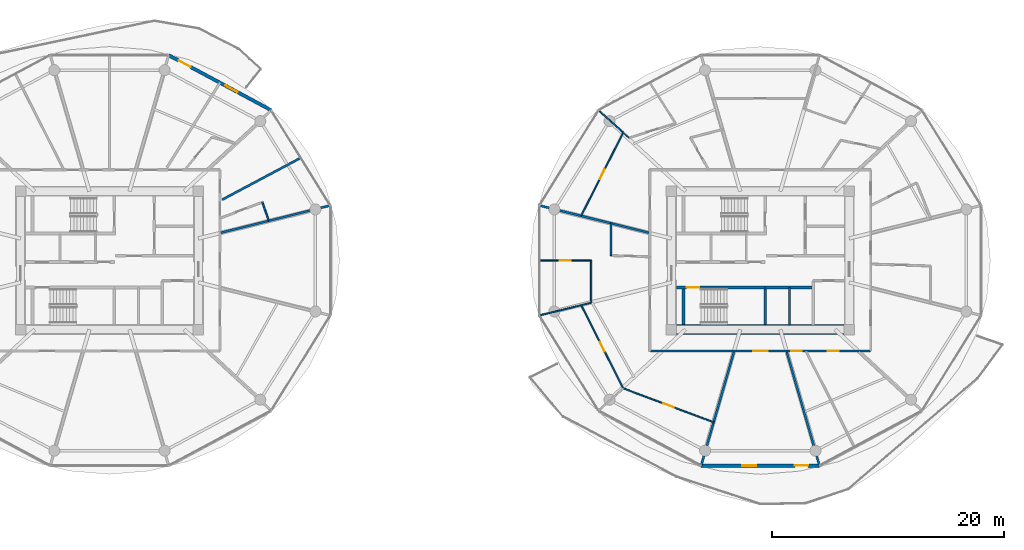
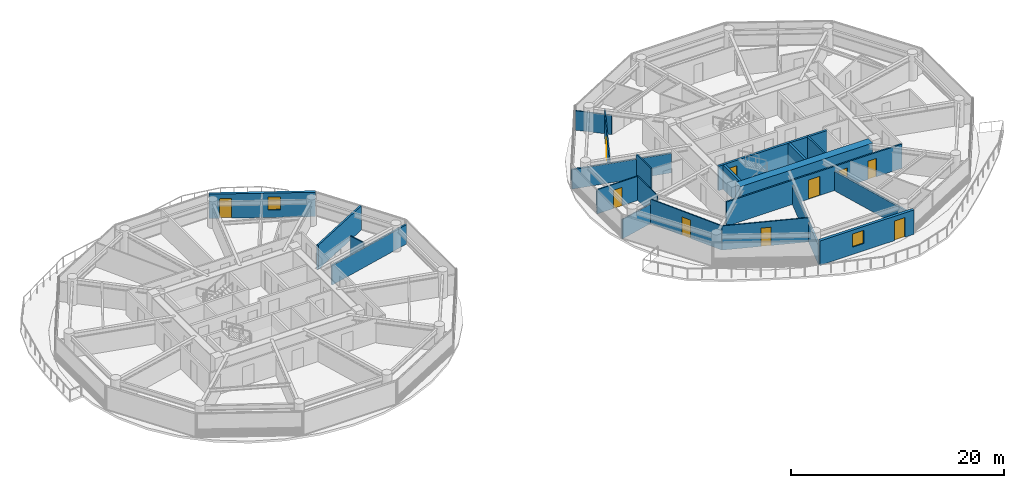
# One storey, part 17 of 25: 23 walls, 10 doors, 2 windows, 12 openings.
"""IFC4 building model written with IfcOpenShell, lengths in metres."""

from ifc_helpers import new_model, si_unit, direction, frame, frame_2d, origin, place, context, subcontext, project, spatial, rectangle, extrude, source, transform, mapped, material, layer, layer_set, type_object, type_shapes, element, fill, save


model = new_model("IFC4")

# Units and contexts
model_context = context("Model", 3, precision=1e-05, world=origin(), true_north=direction((0.0, 1.0)))
body_context = subcontext(model_context, "Body", "Model", "MODEL_VIEW")
ifc_project = project(units=[si_unit("LENGTHUNIT", "METRE"), si_unit("AREAUNIT", "SQUARE_METRE"), si_unit("VOLUMEUNIT", "CUBIC_METRE"), si_unit("PLANEANGLEUNIT", "RADIAN"), si_unit("MASSUNIT", "GRAM", prefix="KILO")], contexts=[model_context])

# Site, building, storey
site_placement = place(None, origin())
site = spatial("IfcSite", under=ifc_project, at=site_placement, CompositionType="ELEMENT")
building_placement = place(site_placement, origin())
building = spatial("IfcBuilding", under=site, at=building_placement, Name="Norrkilde Senior Care Towers", CompositionType="ELEMENT")
storey_placement = place(building_placement, frame((0.0, 0.0, 27.699951171875)))
storey = spatial("IfcBuildingStorey", under=building, at=storey_placement, Name="L07", CompositionType="ELEMENT", Elevation=27.699951171875)

# Wall
ifc_material_1 = material(Name="Concrete C60/75", Category="concrete")
ifc_layer_1 = layer(ifc_material_1, 0.85009765625)
ifc_layer_set_1 = layer_set([ifc_layer_1], Name="Concrete C60/75")
wall_type_1 = type_object("IfcWallType", Name="Core Shear Wall Z1 850", PredefinedType="SHEAR", material=ifc_layer_set_1)
shared_shape_1 = source(origin(), body_context, "Body", "SweptSolid", [
    extrude(rectangle(XDim=14.39990234375, YDim=0.85009765625, at=frame_2d((7.199951171875, 0.0))), origin(), (0.0, 0.0, 1.0), 2.7900390625),
])
type_shapes(wall_type_1, [shared_shape_1])
wall_1_placement = place(storey_placement, frame((35.199951171875, -5.949951171875, 0.0), z_axis=(0.0, 0.0, 1.0), x_axis=(-1.0, 0.0, 0.0)))
element("IfcWall", 1, at=wall_1_placement, inside=storey, type_object=wall_type_1, Name="L07 Core E South Shear Wall", PredefinedType="SHEAR", context=body_context, shape_type="MappedRepresentation", body=[
    mapped(shared_shape_1, transform((0.0, 0.0, 0.0), x_axis=(1.0, 0.0, 0.0), y_axis=(0.0, 1.0, 0.0), z_axis=(0.0, 0.0, 1.0), scale=1.0)),
])

# Wall, openings, door, window
ifc_material_2 = material(Name="Precast concrete C45/55", Category="concrete")
ifc_layer_2 = layer(ifc_material_2, 0.2900390625)
ifc_layer_set_2 = layer_set([ifc_layer_2], Name="Precast concrete C45/55")
wall_type_2 = type_object("IfcWallType", Name="Winter Garden Facade Wall 290", PredefinedType="SOLIDWALL", material=ifc_layer_set_2)
shared_shape_2 = source(origin(), body_context, "Body", "SweptSolid", [
    extrude(rectangle(XDim=10.18701171875, YDim=0.2900390625, at=frame_2d((5.093505859375, 0.0))), origin(), (0.0, 0.0, 1.0), 2.7900390625),
])
wall_2_placement = place(storey_placement, frame((33.093505859375, -17.6572265625, 0.0), z_axis=(0.0, 0.0, 1.0), x_axis=(-1.0, 0.0, 0.0)))
wall_2 = element("IfcWall", 2, at=wall_2_placement, inside=storey, type_object=wall_type_2, Name="L07 Drum E Balcony Access Wall 08", PredefinedType="SOLIDWALL", context=body_context, shape_type="MappedRepresentation", body=[
    mapped(shared_shape_2, transform((0.0, 0.0, 0.0), x_axis=(1.0, 0.0, 0.0), y_axis=(0.0, 1.0, 0.0), z_axis=(0.0, 0.0, 1.0), scale=1.0)),
])
opening_1_placement = place(wall_2_placement, frame((0.97998046875, 0.0, 0.0)))
opening_1 = element("IfcOpeningElement", 3, at=opening_1_placement, cuts=wall_2, Name="Opening D-09", PredefinedType="OPENING", context=body_context, shape_type="SweptSolid", body=[
    extrude(rectangle(XDim=1.14990234375, YDim=2.25, at=frame_2d((0.574951171875, 1.125))), frame((0.0, 0.155029296875, 0.0), z_axis=(0.0, -1.0, 0.0), x_axis=(1.0, 0.0, 0.0)), (0.0, 0.0, 1.0), 0.31005859375),
])
opening_2_placement = place(wall_2_placement, frame((5.443603515625, 0.0, 0.85009765625)))
opening_2 = element("IfcOpeningElement", 4, at=opening_2_placement, cuts=wall_2, Name="Opening WN-07", PredefinedType="OPENING", context=body_context, shape_type="SweptSolid", body=[
    extrude(rectangle(XDim=1.199951171875, YDim=1.5, at=frame_2d((0.60009765625, 0.75))), frame((0.0, 0.155029296875, 0.0), z_axis=(0.0, -1.0, 0.0), x_axis=(1.0, 0.0, 0.0)), (0.0, 0.0, 1.0), 0.31005859375),
])
ifc_material_3 = material(Name="Anodised Aluminium", Category="aluminium")
door_type_1 = type_object("IfcDoorType", Name="Terrace and Balcony Glazed Door 1150x2250", OperationType="NOTDEFINED", PredefinedType="DOOR", material=ifc_material_3)
shared_shape_3 = source(origin(), body_context, "Body", "SweptSolid", [
    extrude(rectangle(XDim=1.14990234375, YDim=2.25, at=frame_2d((0.574951171875, 1.125))), frame((0.0, 0.02490234375, 0.0), z_axis=(0.0, -1.0, 0.0), x_axis=(1.0, 0.0, 0.0)), (0.0, 0.0, 1.0), 0.050048828125),
])
type_shapes(door_type_1, [shared_shape_3])
door_1_placement = place(opening_1_placement, origin())
door_1 = element("IfcDoor", 5, at=door_1_placement, inside=storey, type_object=door_type_1, Name="L07 Drum E Outdoor Terrace Door 08", OperationType="SINGLE_SWING_LEFT", OverallHeight=2.25, OverallWidth=1.14990234375, PredefinedType="DOOR", context=body_context, shape_type="MappedRepresentation", body=[
    mapped(shared_shape_3, transform((0.0, 0.0, 0.0), x_axis=(1.0, 0.0, 0.0), y_axis=(0.0, 1.0, 0.0), z_axis=(0.0, 0.0, 1.0), scale=1.0)),
])
fill(opening_1, door_1)
ifc_material_4 = material(Name="Triple Low-E Insulated Glazing", Category="glass")
window_type = type_object("IfcWindowType", Name="Stairwell Smoke Vent Window 1200x1500", PartitioningType="SINGLE_PANEL", PredefinedType="WINDOW", material=ifc_material_4)
shared_shape_4 = source(origin(), body_context, "Body", "SweptSolid", [
    extrude(rectangle(XDim=1.199951171875, YDim=1.5, at=frame_2d((0.60009765625, 0.75))), frame((0.0, 0.030029296875, 0.0), z_axis=(0.0, -1.0, 0.0), x_axis=(1.0, 0.0, 0.0)), (0.0, 0.0, 1.0), 0.06005859375),
])
type_shapes(window_type, [shared_shape_4])
window_1_placement = place(opening_2_placement, origin())
window_1 = element("IfcWindow", 6, at=window_1_placement, inside=storey, type_object=window_type, Name="L07 Drum E Winter Garden Window 08", OverallHeight=1.5, OverallWidth=1.199951171875, PartitioningType="SINGLE_PANEL", PredefinedType="WINDOW", context=body_context, shape_type="MappedRepresentation", body=[
    mapped(shared_shape_4, transform((0.0, 0.0, 0.0), x_axis=(1.0, 0.0, 0.0), y_axis=(0.0, 1.0, 0.0), z_axis=(0.0, 0.0, 1.0), scale=1.0)),
])
fill(opening_2, window_1)

shared_shape_5 = source(origin(), body_context, "Body", "SweptSolid", [
    extrude(rectangle(XDim=10.0107421875, YDim=0.2900390625, at=frame_2d((5.00537109375, 0.0))), origin(), (0.0, 0.0, 1.0), 2.7900390625),
])
type_shapes(wall_type_2, [shared_shape_2, shared_shape_5])
wall_3_placement = place(storey_placement, frame((-22.906494140625, 17.6572265625, 0.0), z_axis=(0.0, 0.0, 1.0), x_axis=(0.881272505317, -0.472608475773, 0.0)))
wall_3 = element("IfcWall", 7, at=wall_3_placement, inside=storey, type_object=wall_type_2, Name="L07 Drum W Balcony Access Wall 01", PredefinedType="SOLIDWALL", context=body_context, shape_type="MappedRepresentation", body=[
    mapped(shared_shape_5, transform((0.0, 0.0, 0.0), x_axis=(1.0, 0.0, 0.0), y_axis=(0.0, 1.0, 0.0), z_axis=(0.0, 0.0, 1.0), scale=1.0)),
])
opening_3_placement = place(wall_3_placement, frame((0.97998046875, 0.0, 0.0)))
opening_3 = element("IfcOpeningElement", 8, at=opening_3_placement, cuts=wall_3, Name="Opening D-09", PredefinedType="OPENING", context=body_context, shape_type="SweptSolid", body=[
    extrude(rectangle(XDim=1.14990234375, YDim=2.25, at=frame_2d((0.574951171875, 1.125))), frame((0.0, 0.155029296875, 0.0), z_axis=(0.0, -1.0, 0.0), x_axis=(1.0, 0.0, 0.0)), (0.0, 0.0, 1.0), 0.31005859375),
])
opening_4_placement = place(wall_3_placement, frame((5.535400390625, 0.0, 0.85009765625)))
opening_4 = element("IfcOpeningElement", 9, at=opening_4_placement, cuts=wall_3, Name="Opening WN-07", PredefinedType="OPENING", context=body_context, shape_type="SweptSolid", body=[
    extrude(rectangle(XDim=1.199951171875, YDim=1.5, at=frame_2d((0.60009765625, 0.75))), frame((0.0, 0.155029296875, 0.0), z_axis=(0.0, -1.0, 0.0), x_axis=(1.0, 0.0, 0.0)), (0.0, 0.0, 1.0), 0.31005859375),
])
door_2_placement = place(opening_3_placement, origin())
door_2 = element("IfcDoor", 10, at=door_2_placement, inside=storey, type_object=door_type_1, Name="L07 Drum W Outdoor Terrace Door 01", OperationType="SINGLE_SWING_RIGHT", OverallHeight=2.25, OverallWidth=1.14990234375, PredefinedType="DOOR", context=body_context, shape_type="MappedRepresentation", body=[
    mapped(shared_shape_3, transform((0.0, 0.0, 0.0), x_axis=(1.0, 0.0, 0.0), y_axis=(0.0, 1.0, 0.0), z_axis=(0.0, 0.0, 1.0), scale=1.0)),
])
fill(opening_3, door_2)
window_2_placement = place(opening_4_placement, origin())
window_2 = element("IfcWindow", 11, at=window_2_placement, inside=storey, type_object=window_type, Name="L07 Drum W Winter Garden Window 01", OverallHeight=1.5, OverallWidth=1.199951171875, PartitioningType="SINGLE_PANEL", PredefinedType="WINDOW", context=body_context, shape_type="MappedRepresentation", body=[
    mapped(shared_shape_4, transform((0.0, 0.0, 0.0), x_axis=(1.0, 0.0, 0.0), y_axis=(0.0, 1.0, 0.0), z_axis=(0.0, 0.0, 1.0), scale=1.0)),
])
fill(opening_4, window_2)

# Wall, opening, door
ifc_material_5 = material(Name="Concrete C45/55", Category="concrete")
ifc_layer_3 = layer(ifc_material_5, 0.239990234375)
ifc_layer_set_3 = layer_set([ifc_layer_3], Name="Concrete C45/55")
wall_type_3 = type_object("IfcWallType", Name="Shaft and Stair Enclosure Wall 240", PredefinedType="PARTITIONING", material=ifc_layer_set_3)
shared_shape_6 = source(origin(), body_context, "Body", "SweptSolid", [
    extrude(rectangle(XDim=7.76513671875, YDim=0.239990234375, at=frame_2d((3.882568359375, 0.0))), origin(), (0.0, 0.0, 1.0), 2.7900390625),
])
wall_4_placement = place(storey_placement, frame((20.77490234375, -2.330078125, 0.0), z_axis=(0.0, 0.0, 1.0), x_axis=(1.0, 0.0, 0.0)))
wall_4 = element("IfcWall", 12, at=wall_4_placement, inside=storey, type_object=wall_type_3, Name="WL-INT-L07-E-ST2N", PredefinedType="PARTITIONING", context=body_context, shape_type="MappedRepresentation", body=[
    mapped(shared_shape_6, transform((0.0, 0.0, 0.0), x_axis=(1.0, 0.0, 0.0), y_axis=(0.0, 1.0, 0.0), z_axis=(0.0, 0.0, 1.0), scale=1.0)),
])
opening_5_placement = place(wall_4_placement, frame((0.885009765625, 0.0, 0.0)))
opening_5 = element("IfcOpeningElement", 13, at=opening_5_placement, cuts=wall_4, Name="Opening D-03", PredefinedType="OPENING", context=body_context, shape_type="SweptSolid", body=[
    extrude(rectangle(XDim=1.10009765625, YDim=2.14990234375, at=frame_2d((0.550048828125, 1.074951171875))), frame((0.0, 0.1298828125, 0.0), z_axis=(0.0, -1.0, 0.0), x_axis=(1.0, 0.0, 0.0)), (0.0, 0.0, 1.0), 0.260009765625),
])
ifc_material_6 = material(Name="Galvanised Painted Steel", Category="steel")
door_type_2 = type_object("IfcDoorType", Name="Stairwell Protected Fire Door 1100x2150", OperationType="NOTDEFINED", PredefinedType="DOOR", material=ifc_material_6)
shared_shape_7 = source(origin(), body_context, "Body", "SweptSolid", [
    extrude(rectangle(XDim=1.10009765625, YDim=2.14990234375, at=frame_2d((0.550048828125, 1.074951171875))), frame((0.0, 0.02490234375, 0.0), z_axis=(0.0, -1.0, 0.0), x_axis=(1.0, 0.0, 0.0)), (0.0, 0.0, 1.0), 0.050048828125),
])
type_shapes(door_type_2, [shared_shape_7])
door_3_placement = place(opening_5_placement, frame((1.10009765625, 0.0, 0.0), z_axis=(0.0, 0.0, 1.0), x_axis=(-1.0, 0.0, 0.0)))
door_3 = element("IfcDoor", 14, at=door_3_placement, inside=storey, type_object=door_type_2, Name="L07 Stair E2 Fire Door", OperationType="SINGLE_SWING_RIGHT", OverallHeight=2.14990234375, OverallWidth=1.10009765625, PredefinedType="DOOR", context=body_context, shape_type="MappedRepresentation", body=[
    mapped(shared_shape_7, transform((0.0, 0.0, 0.0), x_axis=(1.0, 0.0, 0.0), y_axis=(0.0, 1.0, 0.0), z_axis=(0.0, 0.0, 1.0), scale=1.0)),
])
fill(opening_5, door_3)

# Walls
shared_shape_8 = source(origin(), body_context, "Body", "SweptSolid", [
    extrude(rectangle(XDim=3.074951171875, YDim=0.239990234375, at=frame_2d((1.53759765625, 0.0))), origin(), (0.0, 0.0, 1.0), 2.7900390625),
])
type_shapes(wall_type_3, [shared_shape_6, shared_shape_8])
for number, where, z_axis, x_axis, name in (
    (15, (21.3798828125, -5.52490234375, 0.0), (0.0, 0.0, 1.0), (0.0, 1.0, 0.0), "WL-INT-L07-E-ST2W"),
    (16, (28.419921875, -5.52490234375, 0.0), (0.0, 0.0, 1.0), (0.0, 1.0, 0.0), "WL-INT-L07-E-ST2E"),
):
    element("IfcWall", number, at=place(storey_placement, frame(where, z_axis=z_axis, x_axis=x_axis)), inside=storey, type_object=wall_type_3, Name=name, PredefinedType="PARTITIONING", context=body_context, shape_type="MappedRepresentation", body=[
        mapped(shared_shape_8, transform((0.0, 0.0, 0.0), x_axis=(1.0, 0.0, 0.0), y_axis=(0.0, 1.0, 0.0), z_axis=(0.0, 0.0, 1.0), scale=1.0)),
    ])
ifc_layer_4 = layer(ifc_material_5, 0.239990234375)
ifc_layer_set_4 = layer_set([ifc_layer_4], Name="Concrete C45/55")
wall_type_4 = type_object("IfcWallType", Name="Lift and Plant Rated Enclosure Partition 240", PredefinedType="PARTITIONING", material=ifc_layer_set_4)
shared_shape_9 = source(origin(), body_context, "Body", "SweptSolid", [
    extrude(rectangle(XDim=4.130126953125, YDim=0.239990234375, at=frame_2d((2.06494140625, 0.0))), origin(), (0.0, 0.0, 1.0), 2.775146484375),
])
type_shapes(wall_type_4, [shared_shape_9])
wall_5_placement = place(storey_placement, frame((28.419921875, -2.330078125, 0.0), z_axis=(0.0, 0.0, 1.0), x_axis=(1.0, 0.0, 0.0)))
element("IfcWall", 17, at=wall_5_placement, inside=storey, type_object=wall_type_4, Name="WL-INT-L07-E-PKBN", PredefinedType="PARTITIONING", context=body_context, shape_type="MappedRepresentation", body=[
    mapped(shared_shape_9, transform((0.0, 0.0, 0.0), x_axis=(1.0, 0.0, 0.0), y_axis=(0.0, 1.0, 0.0), z_axis=(0.0, 0.0, 1.0), scale=1.0)),
])
ifc_layer_5 = layer(ifc_material_5, 0.179931640625)
ifc_layer_set_5 = layer_set([ifc_layer_5], Name="Concrete C45/55")
wall_type_5 = type_object("IfcWallType", Name="Hoistway Division Rated Partition 180", PredefinedType="PARTITIONING", material=ifc_layer_set_5)
shared_shape_10 = source(origin(), body_context, "Body", "SweptSolid", [
    extrude(rectangle(XDim=3.219970703125, YDim=0.179931640625, at=frame_2d((1.60986328125, 0.0))), origin(), (0.0, 0.0, 1.0), 2.775146484375),
])
type_shapes(wall_type_5, [shared_shape_10])
wall_6_placement = place(storey_placement, frame((30.5, -5.550048828125, 0.0), z_axis=(0.0, 0.0, 1.0), x_axis=(0.0, 1.0, 0.0)))
element("IfcWall", 18, at=wall_6_placement, inside=storey, type_object=wall_type_5, Name="WL-INT-L07-E-PL34", PredefinedType="PARTITIONING", context=body_context, shape_type="MappedRepresentation", body=[
    mapped(shared_shape_10, transform((0.0, 0.0, 0.0), x_axis=(1.0, 0.0, 0.0), y_axis=(0.0, 1.0, 0.0), z_axis=(0.0, 0.0, 1.0), scale=1.0)),
])

# Wall, openings, doors
ifc_material_7 = material(Name="Gypsum Acoustic Board")
ifc_layer_6 = layer(ifc_material_7, 0.1650390625)
ifc_layer_set_6 = layer_set([ifc_layer_6], Name="Gypsum Acoustic Board")
wall_type_6 = type_object("IfcWallType", Name="Corridor Rated Partition 165", PredefinedType="PARTITIONING", material=ifc_layer_set_6)
shared_shape_11 = source(origin(), body_context, "Body", "SweptSolid", [
    extrude(rectangle(XDim=19.0, YDim=0.1650390625, at=frame_2d((9.5, 0.0))), origin(), (0.0, 0.0, 1.0), 2.775146484375),
])
type_shapes(wall_type_6, [shared_shape_11])
wall_7_placement = place(storey_placement, frame((37.5, -7.800048828125, 0.0), z_axis=(0.0, 0.0, 1.0), x_axis=(-1.0, 0.0, 0.0)))
wall_7 = element("IfcWall", 19, at=wall_7_placement, inside=storey, type_object=wall_type_6, Name="WL-INT-L07-E-CRW-S-0", PredefinedType="PARTITIONING", context=body_context, shape_type="MappedRepresentation", body=[
    mapped(shared_shape_11, transform((0.0, 0.0, 0.0), x_axis=(1.0, 0.0, 0.0), y_axis=(0.0, 1.0, 0.0), z_axis=(0.0, 0.0, 1.0), scale=1.0)),
])
opening_6_placement = place(wall_7_placement, frame((8.875, 0.0, 0.0)))
opening_6 = element("IfcOpeningElement", 20, at=opening_6_placement, cuts=wall_7, Name="Opening D-05", PredefinedType="OPENING", context=body_context, shape_type="SweptSolid", body=[
    extrude(rectangle(XDim=1.25, YDim=2.199951171875, at=frame_2d((0.625, 1.10009765625))), frame((0.0, 0.092529296875, 0.0), z_axis=(0.0, -1.0, 0.0), x_axis=(1.0, 0.0, 0.0)), (0.0, 0.0, 1.0), 0.18505859375),
])
opening_7_placement = place(wall_7_placement, frame((5.915283203125, 0.0, 0.0)))
opening_7 = element("IfcOpeningElement", 21, at=opening_7_placement, cuts=wall_7, Name="Opening D-08", PredefinedType="OPENING", context=body_context, shape_type="SweptSolid", body=[
    extrude(rectangle(XDim=0.919921875, YDim=2.10009765625, at=frame_2d((0.4599609375, 1.050048828125))), frame((0.0, 0.092529296875, 0.0), z_axis=(0.0, -1.0, 0.0), x_axis=(1.0, 0.0, 0.0)), (0.0, 0.0, 1.0), 0.18505859375),
])
opening_8_placement = place(wall_7_placement, frame((2.76904296875, 0.0, 0.0)))
opening_8 = element("IfcOpeningElement", 22, at=opening_8_placement, cuts=wall_7, Name="Opening D-08", PredefinedType="OPENING", context=body_context, shape_type="SweptSolid", body=[
    extrude(rectangle(XDim=0.919921875, YDim=2.10009765625, at=frame_2d((0.4599609375, 1.050048828125))), frame((0.0, 0.092529296875, 0.0), z_axis=(0.0, -1.0, 0.0), x_axis=(1.0, 0.0, 0.0)), (0.0, 0.0, 1.0), 0.18505859375),
])
ifc_material_8 = material(Name="Nordic Ash Timber", Category="wood")
door_type_3 = type_object("IfcDoorType", Name="Care Bedroom Bariatric Door 1250x2200", OperationType="NOTDEFINED", PredefinedType="DOOR", material=ifc_material_8)
shared_shape_12 = source(origin(), body_context, "Body", "SweptSolid", [
    extrude(rectangle(XDim=1.25, YDim=2.199951171875, at=frame_2d((0.625, 1.10009765625))), frame((0.0, 0.02490234375, 0.0), z_axis=(0.0, -1.0, 0.0), x_axis=(1.0, 0.0, 0.0)), (0.0, 0.0, 1.0), 0.050048828125),
])
type_shapes(door_type_3, [shared_shape_12])
door_4_placement = place(opening_6_placement, frame((1.25, 0.0, 0.0), z_axis=(0.0, 0.0, 1.0), x_axis=(-1.0, 0.0, 0.0)))
door_4 = element("IfcDoor", 23, at=door_4_placement, inside=storey, type_object=door_type_3, Name="L07 Senior Wellness Library Lounge Door", OperationType="SINGLE_SWING_LEFT", OverallHeight=2.199951171875, OverallWidth=1.25, PredefinedType="DOOR", context=body_context, shape_type="MappedRepresentation", body=[
    mapped(shared_shape_12, transform((0.0, 0.0, 0.0), x_axis=(1.0, 0.0, 0.0), y_axis=(0.0, 1.0, 0.0), z_axis=(0.0, 0.0, 1.0), scale=1.0)),
])
fill(opening_6, door_4)
door_type_4 = type_object("IfcDoorType", Name="Accessible Wet Room Door 920x2100", OperationType="NOTDEFINED", PredefinedType="DOOR", material=ifc_material_8)
shared_shape_13 = source(origin(), body_context, "Body", "SweptSolid", [
    extrude(rectangle(XDim=0.919921875, YDim=2.10009765625, at=frame_2d((0.4599609375, 1.050048828125))), frame((0.0, 0.02490234375, 0.0), z_axis=(0.0, -1.0, 0.0), x_axis=(1.0, 0.0, 0.0)), (0.0, 0.0, 1.0), 0.050048828125),
])
type_shapes(door_type_4, [shared_shape_13])
door_5_placement = place(opening_7_placement, frame((0.919921875, 0.0, 0.0), z_axis=(0.0, 0.0, 1.0), x_axis=(-1.0, 0.0, 0.0)))
door_5 = element("IfcDoor", 24, at=door_5_placement, inside=storey, type_object=door_type_4, Name="L07 Accessible Restroom Door", OperationType="SINGLE_SWING_RIGHT", OverallHeight=2.10009765625, OverallWidth=0.919921875, PredefinedType="DOOR", context=body_context, shape_type="MappedRepresentation", body=[
    mapped(shared_shape_13, transform((0.0, 0.0, 0.0), x_axis=(1.0, 0.0, 0.0), y_axis=(0.0, 1.0, 0.0), z_axis=(0.0, 0.0, 1.0), scale=1.0)),
])
fill(opening_7, door_5)
door_6_placement = place(opening_8_placement, frame((0.919921875, 0.0, 0.0), z_axis=(0.0, 0.0, 1.0), x_axis=(-1.0, 0.0, 0.0)))
door_6 = element("IfcDoor", 25, at=door_6_placement, inside=storey, type_object=door_type_4, Name="L07 Public Restroom Door", OperationType="SINGLE_SWING_LEFT", OverallHeight=2.10009765625, OverallWidth=0.919921875, PredefinedType="DOOR", context=body_context, shape_type="MappedRepresentation", body=[
    mapped(shared_shape_13, transform((0.0, 0.0, 0.0), x_axis=(1.0, 0.0, 0.0), y_axis=(0.0, 1.0, 0.0), z_axis=(0.0, 0.0, 1.0), scale=1.0)),
])
fill(opening_8, door_6)

# Walls
ifc_layer_7 = layer(ifc_material_7, 0.18994140625)
ifc_layer_set_7 = layer_set([ifc_layer_7], Name="Gypsum Acoustic Board")
wall_type_7 = type_object("IfcWallType", Name="Unit Demising Acoustic Wall 190", PredefinedType="PARTITIONING", material=ifc_layer_set_7)
shared_shape_14 = source(origin(), body_context, "Body", "SweptSolid", [
    extrude(rectangle(XDim=10.196044921875, YDim=0.18994140625, at=frame_2d((5.09814453125, 0.0))), origin(), (0.0, 0.0, 1.0), 2.22509765625),
])
for number, where, z_axis, x_axis, name in (
    (26, (25.72705078125, -7.8798828125, 0.0), (0.0, 0.0, 1.0), (-0.277136420347, -0.960830580549, 0.0), "WL-INT-L07-E-DEM-08-0"),
    (27, (30.27294921875, -7.8798828125, 0.0), (0.0, 0.0, 1.0), (0.277136420347, -0.960830580549, 0.0), "WL-INT-L07-E-DEM-09-0"),
):
    element("IfcWall", number, at=place(storey_placement, frame(where, z_axis=z_axis, x_axis=x_axis)), inside=storey, type_object=wall_type_7, Name=name, PredefinedType="PARTITIONING", context=body_context, shape_type="MappedRepresentation", body=[
        mapped(shared_shape_14, transform((0.0, 0.0, 0.0), x_axis=(1.0, 0.0, 0.0), y_axis=(0.0, 1.0, 0.0), z_axis=(0.0, 0.0, 1.0), scale=1.0)),
    ])
shared_shape_15 = source(origin(), body_context, "Body", "SweptSolid", [
    extrude(rectangle(XDim=9.737060546875, YDim=0.18994140625, at=frame_2d((4.86865234375, 0.0))), origin(), (0.0, 0.0, 1.0), 2.22509765625),
])
for number, where, z_axis, x_axis, name in (
    (28, (-18.419921875, 2.384521484375, 0.0), (0.0, 0.0, 1.0), (0.970392716238, 0.241532557375, 0.0), "WL-INT-L07-W-DEM-00-0"),
    (29, (18.419921875, 2.384521484375, 0.0), (0.0, 0.0, 1.0), (-0.970392716238, 0.241532557375, 0.0), "WL-INT-L07-E-DEM-05-0"),
):
    element("IfcWall", number, at=place(storey_placement, frame(where, z_axis=z_axis, x_axis=x_axis)), inside=storey, type_object=wall_type_7, Name=name, PredefinedType="PARTITIONING", context=body_context, shape_type="MappedRepresentation", body=[
        mapped(shared_shape_15, transform((0.0, 0.0, 0.0), x_axis=(1.0, 0.0, 0.0), y_axis=(0.0, 1.0, 0.0), z_axis=(0.0, 0.0, 1.0), scale=1.0)),
    ])
shared_shape_16 = source(origin(), body_context, "Body", "SweptSolid", [
    extrude(rectangle(XDim=7.6767578125, YDim=0.18994140625, at=frame_2d((3.83837890625, 0.0))), origin(), (0.0, 0.0, 1.0), 2.775146484375),
])
type_shapes(wall_type_7, [shared_shape_14, shared_shape_15, shared_shape_16])
wall_8_placement = place(storey_placement, frame((-18.296875, 5.23095703125, 0.0), z_axis=(0.0, 0.0, 1.0), x_axis=(0.882725057546, 0.469889851753, 0.0)))
element("IfcWall", 30, at=wall_8_placement, inside=storey, type_object=wall_type_7, Name="WL-INT-L07-W-CMID-00", PredefinedType="PARTITIONING", context=body_context, shape_type="MappedRepresentation", body=[
    mapped(shared_shape_16, transform((0.0, 0.0, 0.0), x_axis=(1.0, 0.0, 0.0), y_axis=(0.0, 1.0, 0.0), z_axis=(0.0, 0.0, 1.0), scale=1.0)),
])
ifc_layer_8 = layer(ifc_material_7, 0.139892578125)
ifc_layer_set_8 = layer_set([ifc_layer_8], Name="Gypsum Acoustic Board")
wall_type_8 = type_object("IfcWallType", Name="En-suite Wet Room Wall 140", PredefinedType="PARTITIONING", material=ifc_layer_set_8)
shared_shape_17 = source(origin(), body_context, "Body", "SweptSolid", [
    extrude(rectangle(XDim=1.67578125, YDim=0.139892578125, at=frame_2d((0.837890625, 0.0))), origin(), (0.0, 0.0, 1.0), 2.775146484375),
])
wall_9_placement = place(storey_placement, frame((-14.849853515625, 5.010986328125, 0.0), z_axis=(0.0, 0.0, 1.0), x_axis=(0.327785970556, -0.944752008469, 0.0)))
element("IfcWall", 31, at=wall_9_placement, inside=storey, type_object=wall_type_8, Name="WL-INT-L07-W-EF-00A", PredefinedType="PARTITIONING", context=body_context, shape_type="MappedRepresentation", body=[
    mapped(shared_shape_17, transform((0.0, 0.0, 0.0), x_axis=(1.0, 0.0, 0.0), y_axis=(0.0, 1.0, 0.0), z_axis=(0.0, 0.0, 1.0), scale=1.0)),
])

# Wall, opening, door
ifc_layer_9 = layer(ifc_material_7, 0.114990234375)
ifc_layer_set_9 = layer_set([ifc_layer_9], Name="Gypsum Acoustic Board")
wall_type_9 = type_object("IfcWallType", Name="Internal Room Partition 115", PredefinedType="PARTITIONING", material=ifc_layer_set_9)
shared_shape_18 = source(origin(), body_context, "Body", "SweptSolid", [
    extrude(rectangle(XDim=8.017822265625, YDim=0.114990234375, at=frame_2d((4.0087890625, 0.0))), origin(), (0.0, 0.0, 1.0), 2.775146484375),
])
wall_10_placement = place(storey_placement, frame((16.205078125, 11.013916015625, 0.0), z_axis=(0.0, 0.0, 1.0), x_axis=(-0.450134355233, -0.89296084026, 0.0)))
wall_10 = element("IfcWall", 32, at=wall_10_placement, inside=storey, type_object=wall_type_9, Name="WL-INT-L07-E-UBC-03-1", PredefinedType="PARTITIONING", context=body_context, shape_type="MappedRepresentation", body=[
    mapped(shared_shape_18, transform((0.0, 0.0, 0.0), x_axis=(1.0, 0.0, 0.0), y_axis=(0.0, 1.0, 0.0), z_axis=(0.0, 0.0, 1.0), scale=1.0)),
])
opening_9_placement = place(wall_10_placement, frame((3.533935546875, 0.0, 0.0)))
opening_9 = element("IfcOpeningElement", 33, at=opening_9_placement, cuts=wall_10, Name="Opening D-07", PredefinedType="OPENING", context=body_context, shape_type="SweptSolid", body=[
    extrude(rectangle(XDim=0.949951171875, YDim=2.10009765625, at=frame_2d((0.47509765625, 1.050048828125))), frame((0.0, 0.0673828125, 0.0), z_axis=(0.0, -1.0, 0.0), x_axis=(1.0, 0.0, 0.0)), (0.0, 0.0, 1.0), 0.135009765625),
])
door_type_5 = type_object("IfcDoorType", Name="Internal Suite Bedroom Door 950x2100", OperationType="NOTDEFINED", PredefinedType="DOOR", material=ifc_material_8)
shared_shape_19 = source(origin(), body_context, "Body", "SweptSolid", [
    extrude(rectangle(XDim=0.949951171875, YDim=2.10009765625, at=frame_2d((0.47509765625, 1.050048828125))), frame((0.0, 0.02490234375, 0.0), z_axis=(0.0, -1.0, 0.0), x_axis=(1.0, 0.0, 0.0)), (0.0, 0.0, 1.0), 0.050048828125),
])
type_shapes(door_type_5, [shared_shape_19])
door_7_placement = place(opening_9_placement, origin())
door_7 = element("IfcDoor", 34, at=door_7_placement, inside=storey, type_object=door_type_5, Name="Apartment 07B Bedroom 1 Door", OperationType="SINGLE_SWING_LEFT", OverallHeight=2.10009765625, OverallWidth=0.949951171875, PredefinedType="DOOR", context=body_context, shape_type="MappedRepresentation", body=[
    mapped(shared_shape_19, transform((0.0, 0.0, 0.0), x_axis=(1.0, 0.0, 0.0), y_axis=(0.0, 1.0, 0.0), z_axis=(0.0, 0.0, 1.0), scale=1.0)),
])
fill(opening_9, door_7)

wall_11_placement = place(storey_placement, frame((12.595947265625, -3.854248046875, 0.0), z_axis=(0.0, 0.0, 1.0), x_axis=(0.450134355233, -0.89296084026, 0.0)))
wall_11 = element("IfcWall", 35, at=wall_11_placement, inside=storey, type_object=wall_type_9, Name="WL-INT-L07-E-UBC-05-1", PredefinedType="PARTITIONING", context=body_context, shape_type="MappedRepresentation", body=[
    mapped(shared_shape_18, transform((0.0, 0.0, 0.0), x_axis=(1.0, 0.0, 0.0), y_axis=(0.0, 1.0, 0.0), z_axis=(0.0, 0.0, 1.0), scale=1.0)),
])
opening_10_placement = place(wall_11_placement, frame((3.533935546875, 0.0, 0.0)))
opening_10 = element("IfcOpeningElement", 36, at=opening_10_placement, cuts=wall_11, Name="Opening D-07", PredefinedType="OPENING", context=body_context, shape_type="SweptSolid", body=[
    extrude(rectangle(XDim=0.949951171875, YDim=2.10009765625, at=frame_2d((0.47509765625, 1.050048828125))), frame((0.0, 0.0673828125, 0.0), z_axis=(0.0, -1.0, 0.0), x_axis=(1.0, 0.0, 0.0)), (0.0, 0.0, 1.0), 0.135009765625),
])
door_8_placement = place(opening_10_placement, origin())
door_8 = element("IfcDoor", 37, at=door_8_placement, inside=storey, type_object=door_type_5, Name="Apartment 07C Bedroom 1 Door", OperationType="SINGLE_SWING_LEFT", OverallHeight=2.10009765625, OverallWidth=0.949951171875, PredefinedType="DOOR", context=body_context, shape_type="MappedRepresentation", body=[
    mapped(shared_shape_19, transform((0.0, 0.0, 0.0), x_axis=(1.0, 0.0, 0.0), y_axis=(0.0, 1.0, 0.0), z_axis=(0.0, 0.0, 1.0), scale=1.0)),
])
fill(opening_10, door_8)

# Walls
shared_shape_20 = source(origin(), body_context, "Body", "SweptSolid", [
    extrude(rectangle(XDim=3.550537109375, YDim=0.114990234375, at=frame_2d((1.775390625, 0.0))), origin(), (0.0, 0.0, 1.0), 2.22509765625),
])
wall_12_placement = place(storey_placement, frame((16.698486328125, 10.552978515625, 0.0), z_axis=(0.0, 0.0, 1.0), x_axis=(-0.740291560769, 0.672285954824, 0.0)))
element("IfcWall", 38, at=wall_12_placement, inside=storey, type_object=wall_type_9, Name="WL-INT-L07-E-UBR-03-1", PredefinedType="PARTITIONING", context=body_context, shape_type="MappedRepresentation", body=[
    mapped(shared_shape_20, transform((0.0, 0.0, 0.0), x_axis=(1.0, 0.0, 0.0), y_axis=(0.0, 1.0, 0.0), z_axis=(0.0, 0.0, 1.0), scale=1.0)),
])
shared_shape_21 = source(origin(), body_context, "Body", "SweptSolid", [
    extrude(rectangle(XDim=4.609130859375, YDim=0.114990234375, at=frame_2d((2.3046875, 0.0))), origin(), (0.0, 0.0, 1.0), 2.22509765625),
])
wall_13_placement = place(storey_placement, frame((13.4482421875, -3.640869140625, 0.0), z_axis=(0.0, 0.0, 1.0), x_axis=(-0.971345494518, -0.237671896276, 0.0)))
element("IfcWall", 39, at=wall_13_placement, inside=storey, type_object=wall_type_9, Name="WL-INT-L07-E-UBR-05-1", PredefinedType="PARTITIONING", context=body_context, shape_type="MappedRepresentation", body=[
    mapped(shared_shape_21, transform((0.0, 0.0, 0.0), x_axis=(1.0, 0.0, 0.0), y_axis=(0.0, 1.0, 0.0), z_axis=(0.0, 0.0, 1.0), scale=1.0)),
])

# Wall, opening, door
shared_shape_22 = source(origin(), body_context, "Body", "SweptSolid", [
    extrude(rectangle(XDim=8.31982421875, YDim=0.114990234375, at=frame_2d((4.159912109375, 0.0))), origin(), (0.0, 0.0, 1.0), 2.775146484375),
])
wall_14_placement = place(storey_placement, frame((16.2138671875, -11.005615234375, 0.0), z_axis=(0.0, 0.0, 1.0), x_axis=(0.936180763098, -0.351518959382, 0.0)))
wall_14 = element("IfcWall", 40, at=wall_14_placement, inside=storey, type_object=wall_type_9, Name="WL-INT-L07-E-UBC-05-2", PredefinedType="PARTITIONING", context=body_context, shape_type="MappedRepresentation", body=[
    mapped(shared_shape_22, transform((0.0, 0.0, 0.0), x_axis=(1.0, 0.0, 0.0), y_axis=(0.0, 1.0, 0.0), z_axis=(0.0, 0.0, 1.0), scale=1.0)),
])
opening_11_placement = place(wall_14_placement, frame((3.684814453125, 0.0, 0.0)))
opening_11 = element("IfcOpeningElement", 41, at=opening_11_placement, cuts=wall_14, Name="Opening D-07", PredefinedType="OPENING", context=body_context, shape_type="SweptSolid", body=[
    extrude(rectangle(XDim=0.949951171875, YDim=2.10009765625, at=frame_2d((0.47509765625, 1.050048828125))), frame((0.0, 0.0673828125, 0.0), z_axis=(0.0, -1.0, 0.0), x_axis=(1.0, 0.0, 0.0)), (0.0, 0.0, 1.0), 0.135009765625),
])
door_9_placement = place(opening_11_placement, frame((0.949951171875, 0.0, 0.0), z_axis=(0.0, 0.0, 1.0), x_axis=(-1.0, 0.0, 0.0)))
door_9 = element("IfcDoor", 42, at=door_9_placement, inside=storey, type_object=door_type_5, Name="Apartment 07C Bedroom 2 Door", OperationType="SINGLE_SWING_RIGHT", OverallHeight=2.10009765625, OverallWidth=0.949951171875, PredefinedType="DOOR", context=body_context, shape_type="MappedRepresentation", body=[
    mapped(shared_shape_19, transform((0.0, 0.0, 0.0), x_axis=(1.0, 0.0, 0.0), y_axis=(0.0, 1.0, 0.0), z_axis=(0.0, 0.0, 1.0), scale=1.0)),
])
fill(opening_11, door_9)

# Wall
shared_shape_23 = source(origin(), body_context, "Body", "SweptSolid", [
    extrude(rectangle(XDim=2.795166015625, YDim=0.139892578125, at=frame_2d((1.3974609375, 0.0))), origin(), (0.0, 0.0, 1.0), 2.775146484375),
])
type_shapes(wall_type_8, [shared_shape_17, shared_shape_23])
wall_15_placement = place(storey_placement, frame((15.148193359375, 0.419189453125, 0.0), z_axis=(0.0, 0.0, 1.0), x_axis=(0.001659531299, 0.999998622977, 0.0)))
element("IfcWall", 43, at=wall_15_placement, inside=storey, type_object=wall_type_8, Name="WL-INT-L07-E-UBTF-05", PredefinedType="PARTITIONING", context=body_context, shape_type="MappedRepresentation", body=[
    mapped(shared_shape_23, transform((0.0, 0.0, 0.0), x_axis=(1.0, 0.0, 0.0), y_axis=(0.0, 1.0, 0.0), z_axis=(0.0, 0.0, 1.0), scale=1.0)),
])

# Wall, opening, door
shared_shape_24 = source(origin(), body_context, "Body", "SweptSolid", [
    extrude(rectangle(XDim=4.46875, YDim=0.114990234375, at=frame_2d((2.234375, 0.0))), origin(), (0.0, 0.0, 1.0), 2.775146484375),
])
wall_16_placement = place(storey_placement, frame((13.43994140625, 0.0, 0.0), z_axis=(0.0, 0.0, 1.0), x_axis=(-1.0, 0.0, 0.0)))
wall_16 = element("IfcWall", 44, at=wall_16_placement, inside=storey, type_object=wall_type_9, Name="WL-INT-L07-E-UKTS-05", PredefinedType="PARTITIONING", context=body_context, shape_type="MappedRepresentation", body=[
    mapped(shared_shape_24, transform((0.0, 0.0, 0.0), x_axis=(1.0, 0.0, 0.0), y_axis=(0.0, 1.0, 0.0), z_axis=(0.0, 0.0, 1.0), scale=1.0)),
])
opening_12_placement = place(wall_16_placement, frame((1.75927734375, 0.0, 0.0)))
opening_12 = element("IfcOpeningElement", 45, at=opening_12_placement, cuts=wall_16, Name="Opening D-07", PredefinedType="OPENING", context=body_context, shape_type="SweptSolid", body=[
    extrude(rectangle(XDim=0.949951171875, YDim=2.10009765625, at=frame_2d((0.47509765625, 1.050048828125))), frame((0.0, 0.0673828125, 0.0), z_axis=(0.0, -1.0, 0.0), x_axis=(1.0, 0.0, 0.0)), (0.0, 0.0, 1.0), 0.135009765625),
])
door_10_placement = place(opening_12_placement, frame((0.949951171875, 0.0, 0.0), z_axis=(0.0, 0.0, 1.0), x_axis=(-1.0, 0.0, 0.0)))
door_10 = element("IfcDoor", 46, at=door_10_placement, inside=storey, type_object=door_type_5, Name="Apartment 07C Kitchen Door", OperationType="SINGLE_SWING_RIGHT", OverallHeight=2.10009765625, OverallWidth=0.949951171875, PredefinedType="DOOR", context=body_context, shape_type="MappedRepresentation", body=[
    mapped(shared_shape_19, transform((0.0, 0.0, 0.0), x_axis=(1.0, 0.0, 0.0), y_axis=(0.0, 1.0, 0.0), z_axis=(0.0, 0.0, 1.0), scale=1.0)),
])
fill(opening_12, door_10)

# Wall
shared_shape_25 = source(origin(), body_context, "Body", "SweptSolid", [
    extrude(rectangle(XDim=3.641357421875, YDim=0.114990234375, at=frame_2d((1.82080078125, 0.0))), origin(), (0.0, 0.0, 1.0), 2.775146484375),
])
type_shapes(wall_type_9, [shared_shape_18, shared_shape_20, shared_shape_21, shared_shape_22, shared_shape_24, shared_shape_25])
wall_17_placement = place(storey_placement, frame((13.43994140625, 0.0, 0.0), z_axis=(0.0, 0.0, 1.0), x_axis=(0.001877301419, -0.999998237868, 0.0)))
element("IfcWall", 47, at=wall_17_placement, inside=storey, type_object=wall_type_9, Name="WL-INT-L07-E-UKTF-05", PredefinedType="PARTITIONING", context=body_context, shape_type="MappedRepresentation", body=[
    mapped(shared_shape_25, transform((0.0, 0.0, 0.0), x_axis=(1.0, 0.0, 0.0), y_axis=(0.0, 1.0, 0.0), z_axis=(0.0, 0.0, 1.0), scale=1.0)),
])

save(model, "model.ifc")
